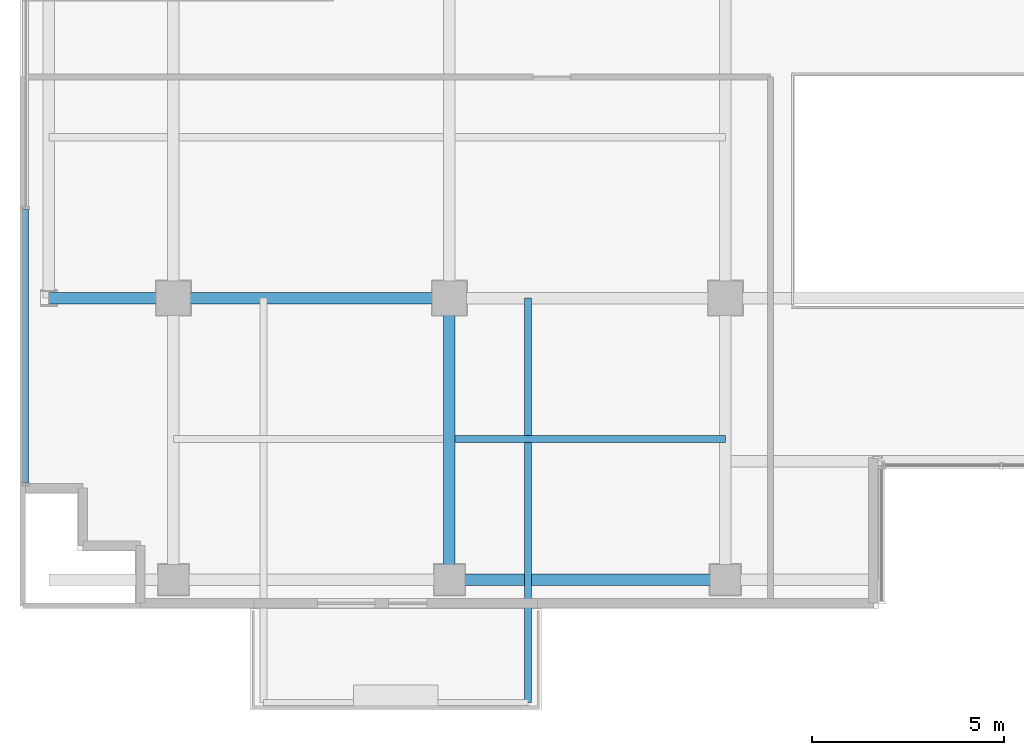
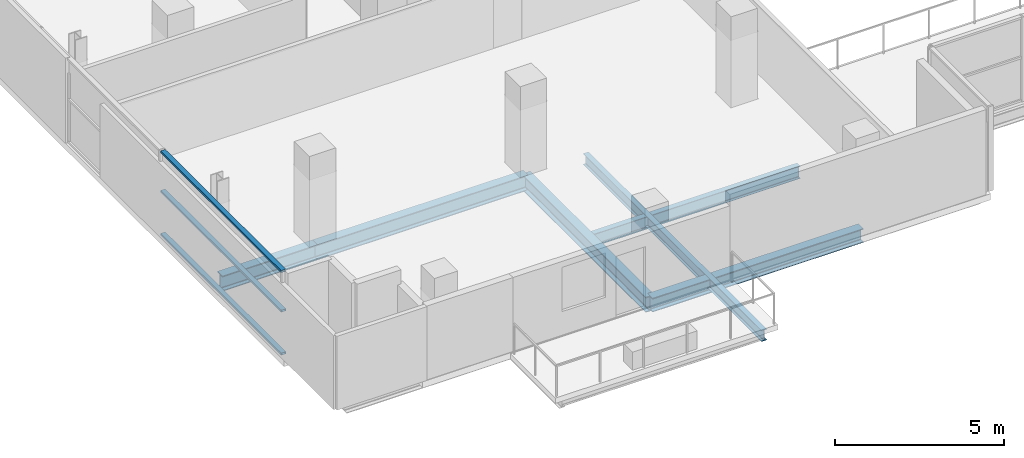
# One storey, part 3 of 25: 6 beams, 3 members, 1 element without a shape of its own.
"""IFC4 building model written with IfcOpenShell, lengths in metres."""

from ifc_helpers import new_model, si_unit, direction, frame, origin, origin_2d, place, context, subcontext, project, spatial, hollow_rectangle, i_section, extrude, source, transform, mapped, material, layer, layer_set, material_profile, profile_set, type_object, element, aggregate, save


model = new_model("IFC4")

# Units and contexts
model_context = context("Model", 3, precision=1e-05, world=origin(), true_north=direction((0.0, 1.0)))
body_context = subcontext(model_context, "Body", "Model", "MODEL_VIEW")
ifc_project = project(units=[si_unit("LENGTHUNIT", "METRE"), si_unit("AREAUNIT", "SQUARE_METRE"), si_unit("VOLUMEUNIT", "CUBIC_METRE"), si_unit("PLANEANGLEUNIT", "RADIAN"), si_unit("MASSUNIT", "GRAM", prefix="KILO")], contexts=[model_context])

# Site, building, storey
site_placement = place(None, origin())
site = spatial("IfcSite", under=ifc_project, at=site_placement, CompositionType="ELEMENT")
building_placement = place(site_placement, origin())
building = spatial("IfcBuilding", under=site, at=building_placement, Name="Zarnakvel Exchange Tower", CompositionType="ELEMENT")
storey_placement = place(building_placement, frame((0.0, 0.0, 126.39990234375)))
storey = spatial("IfcBuildingStorey", under=building, at=storey_placement, Name="L35", CompositionType="ELEMENT", Elevation=126.39990234375)

# Beams
ifc_material_1 = material(Name="Steel S355", Category="steel")
ifc_material_profile_1 = material_profile(ifc_material_1, i_section(OverallWidth=0.18994140625, OverallDepth=0.449951171875, WebThickness=0.009521484375, FlangeThickness=0.0146484375, FilletRadius=0.02099609375, at=origin_2d()))
ifc_profile_set_1 = profile_set([ifc_material_profile_1], Name="Steel S355")
beam_type_1 = type_object("IfcBeamType", Name="B-05", PredefinedType="JOIST", material=ifc_profile_set_1)
beam_1_placement = place(storey_placement, frame((-14.25, -13.27490234375, -0.449951171875), z_axis=(1.0, 0.0, 0.0), x_axis=(0.0, 1.0, 0.0)))
element("IfcBeam", 1, at=beam_1_placement, inside=storey, type_object=beam_type_1, Name="L35 Composite Floor Secondary Joist", PredefinedType="JOIST", context=body_context, shape_type="SweptSolid", body=[
    extrude(i_section(OverallWidth=0.18994140625, OverallDepth=0.449951171875, WebThickness=0.009521484375, FlangeThickness=0.0146484375, FilletRadius=0.02099609375, at=origin_2d()), origin(), (0.0, 0.0, 1.0), 7.050048828125),
])
ifc_material_profile_2 = material_profile(ifc_material_1, i_section(OverallWidth=0.179931640625, OverallDepth=0.39990234375, WebThickness=0.008544921875, FlangeThickness=0.013427734375, FilletRadius=0.02099609375, at=origin_2d()))
ifc_profile_set_2 = profile_set([ifc_material_profile_2], Name="Steel S355")
beam_type_2 = type_object("IfcBeamType", Name="B-06", PredefinedType="JOIST", material=ifc_profile_set_2)
beam_2_placement = place(storey_placement, frame((-12.35009765625, -9.60009765625, -0.4248046875), z_axis=(0.0, -1.0, 0.0), x_axis=(1.0, 0.0, 0.0)))
element("IfcBeam", 2, at=beam_2_placement, inside=storey, type_object=beam_type_2, Name="L35 Continuous Back-Spanned Balcony Beam E", PredefinedType="JOIST", context=body_context, shape_type="SweptSolid", body=[
    extrude(i_section(OverallWidth=0.179931640625, OverallDepth=0.39990234375, WebThickness=0.008544921875, FlangeThickness=0.013427734375, FilletRadius=0.02099609375, at=origin_2d()), origin(), (0.0, 0.0, 1.0), 10.5498046875),
])
ifc_material_profile_3 = material_profile(ifc_material_1, i_section(OverallWidth=0.300048828125, OverallDepth=0.550048828125, WebThickness=0.014892578125, FlangeThickness=0.029052734375, FilletRadius=0.027099609375, at=origin_2d()))
ifc_profile_set_3 = profile_set([ifc_material_profile_3], Name="Steel S355")
beam_type_3 = type_object("IfcBeamType", Name="G-05", PredefinedType="BEAM", material=ifc_profile_set_3)
beam_3_placement = place(storey_placement, frame((-24.85009765625, -9.60009765625, -0.5), z_axis=(1.0, 0.0, 0.0), x_axis=(0.0, 1.0, 0.0)))
element("IfcBeam", 3, at=beam_3_placement, inside=storey, type_object=beam_type_3, Name="L35 Tower E-W Frame Beam", PredefinedType="BEAM", context=body_context, shape_type="SweptSolid", body=[
    extrude(i_section(OverallWidth=0.300048828125, OverallDepth=0.550048828125, WebThickness=0.014892578125, FlangeThickness=0.029052734375, FilletRadius=0.027099609375, at=origin_2d()), origin(), (0.0, 0.0, 1.0), 3.25),
])
beam_4_placement = place(storey_placement, frame((-21.60009765625, -9.60009765625, -0.5), z_axis=(1.0, 0.0, 0.0), x_axis=(0.0, 1.0, 0.0)))
element("IfcBeam", 4, at=beam_4_placement, inside=storey, type_object=beam_type_3, Name="L35 Tower E-W Frame Beam", PredefinedType="BEAM", context=body_context, shape_type="SweptSolid", body=[
    extrude(i_section(OverallWidth=0.300048828125, OverallDepth=0.550048828125, WebThickness=0.014892578125, FlangeThickness=0.029052734375, FilletRadius=0.027099609375, at=origin_2d()), origin(), (0.0, 0.0, 1.0), 7.2001953125),
])
beam_5_placement = place(storey_placement, frame((-14.39990234375, -16.949951171875, -0.5), z_axis=(0.0, 1.0, 0.0), x_axis=(-1.0, 0.0, 0.0)))
element("IfcBeam", 5, at=beam_5_placement, inside=storey, type_object=beam_type_3, Name="L35 Tower N-S Frame Beam", PredefinedType="BEAM", context=body_context, shape_type="SweptSolid", body=[
    extrude(i_section(OverallWidth=0.300048828125, OverallDepth=0.550048828125, WebThickness=0.014892578125, FlangeThickness=0.029052734375, FilletRadius=0.027099609375, at=origin_2d()), origin(), (0.0, 0.0, 1.0), 7.349853515625),
])
ifc_material_profile_4 = material_profile(ifc_material_1, i_section(OverallWidth=0.300048828125, OverallDepth=0.5, WebThickness=0.014404296875, FlangeThickness=0.028076171875, FilletRadius=0.027099609375, at=origin_2d()))
ifc_profile_set_4 = profile_set([ifc_material_profile_4], Name="Steel S355")
beam_type_4 = type_object("IfcBeamType", Name="SP-02", PredefinedType="SPANDREL", material=ifc_profile_set_4)
beam_6_placement = place(storey_placement, frame((-14.39990234375, -16.949951171875, -0.474853515625), z_axis=(1.0, 0.0, 0.0), x_axis=(0.0, 1.0, 0.0)))
element("IfcBeam", 6, at=beam_6_placement, inside=storey, type_object=beam_type_4, Name="L35 Tower E-W Frame Beam", PredefinedType="SPANDREL", context=body_context, shape_type="SweptSolid", body=[
    extrude(i_section(OverallWidth=0.300048828125, OverallDepth=0.5, WebThickness=0.014404296875, FlangeThickness=0.028076171875, FilletRadius=0.027099609375, at=origin_2d()), origin(), (0.0, 0.0, 1.0), 7.199951171875),
])

# Curtain wall, members
ifc_material_2 = material(Name="Architectural Bronze Anodised Aluminium", Category="aluminium")
ifc_layer = layer(ifc_material_2, 0.199951171875)
ifc_layer_set = layer_set([ifc_layer], Name="Architectural Bronze Anodised Aluminium")
curtain_wall_type = type_object("IfcCurtainWallType", Name="CW-04", PredefinedType="NOTDEFINED", material=ifc_layer_set)
curtain_wall_placement = place(storey_placement, origin())
curtain_wall = element("IfcCurtainWall", 7, at=curtain_wall_placement, inside=storey, type_object=curtain_wall_type, Name="L35 Curtain Wall CW-L35-W1 (CW-04)", PredefinedType="NOTDEFINED")
ifc_material_profile_5 = material_profile(ifc_material_2, hollow_rectangle(XDim=0.159912109375, YDim=0.074951171875, WallThickness=0.00390625, at=origin_2d()))
ifc_profile_set_5 = profile_set([ifc_material_profile_5], Name="Architectural Bronze Anodised Aluminium")
member_type = type_object("IfcMemberType", Name="CWT-04", PredefinedType="USERDEFINED", material=ifc_profile_set_5)
shared_shape = source(origin(), body_context, "Body", "SweptSolid", [
    extrude(hollow_rectangle(XDim=0.159912109375, YDim=0.074951171875, WallThickness=0.00390625, at=origin_2d()), origin(), (0.0, 0.0, 1.0), 7.137451171875),
])
member_1_placement = place(storey_placement, frame((-25.4599609375, -14.425048828125, 0.03759765625), z_axis=(0.0, 1.0, 0.0), x_axis=(-1.0, 0.0, 0.0)))
member_1 = element("IfcMember", 8, at=member_1_placement, type_object=member_type, Name="CW-04 transom 1.1", ObjectType="TRANSOM", PredefinedType="USERDEFINED", context=body_context, shape_type="MappedRepresentation", body=[
    mapped(shared_shape, transform((0.0, 0.0, 0.0), x_axis=(1.0, 0.0, 0.0), y_axis=(0.0, 1.0, 0.0), z_axis=(0.0, 0.0, 1.0), scale=1.0)),
])
member_2_placement = place(storey_placement, frame((-25.4599609375, -14.425048828125, 1.588623046875), z_axis=(0.0, 1.0, 0.0), x_axis=(-1.0, 0.0, 0.0)))
member_2 = element("IfcMember", 9, at=member_2_placement, type_object=member_type, Name="CW-04 transom 1.2", ObjectType="TRANSOM", PredefinedType="USERDEFINED", context=body_context, shape_type="MappedRepresentation", body=[
    mapped(shared_shape, transform((0.0, 0.0, 0.0), x_axis=(1.0, 0.0, 0.0), y_axis=(0.0, 1.0, 0.0), z_axis=(0.0, 0.0, 1.0), scale=1.0)),
])
member_3_placement = place(storey_placement, frame((-25.4599609375, -14.425048828125, 3.017578125), z_axis=(0.0, 1.0, 0.0), x_axis=(-1.0, 0.0, 0.0)))
member_3 = element("IfcMember", 10, at=member_3_placement, type_object=member_type, Name="CW-04 transom 1.3", ObjectType="TRANSOM", PredefinedType="USERDEFINED", context=body_context, shape_type="MappedRepresentation", body=[
    mapped(shared_shape, transform((0.0, 0.0, 0.0), x_axis=(1.0, 0.0, 0.0), y_axis=(0.0, 1.0, 0.0), z_axis=(0.0, 0.0, 1.0), scale=1.0)),
])
aggregate(curtain_wall, [member_1, member_2, member_3])

save(model, "model.ifc")
